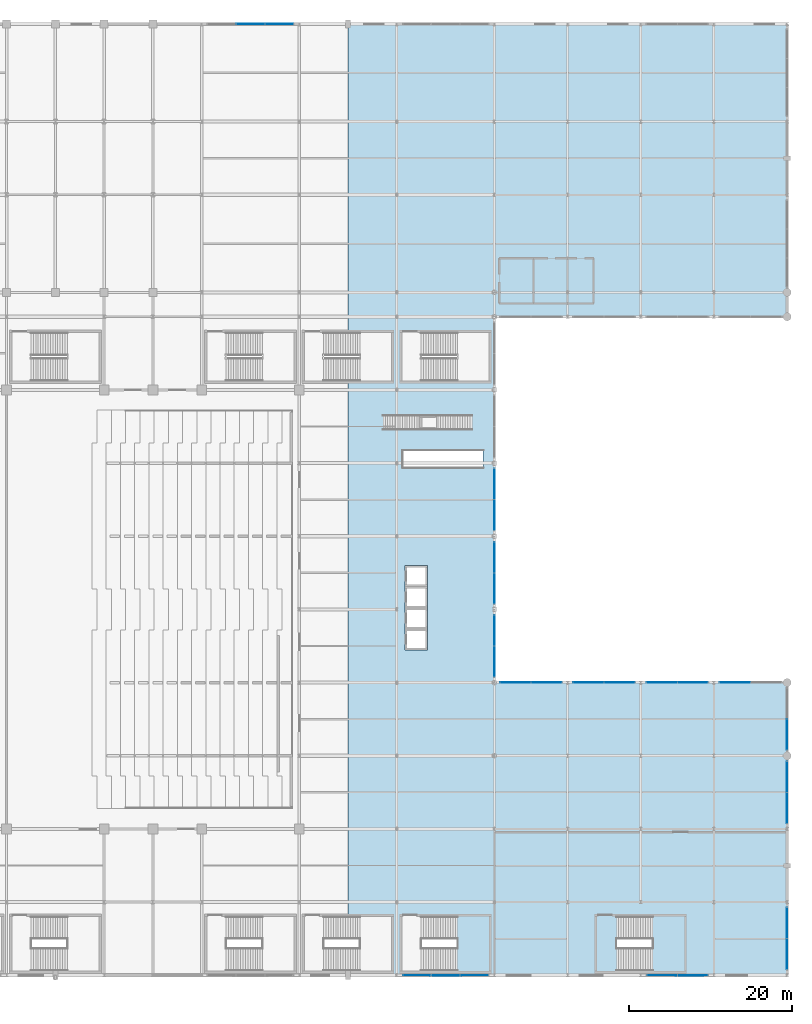
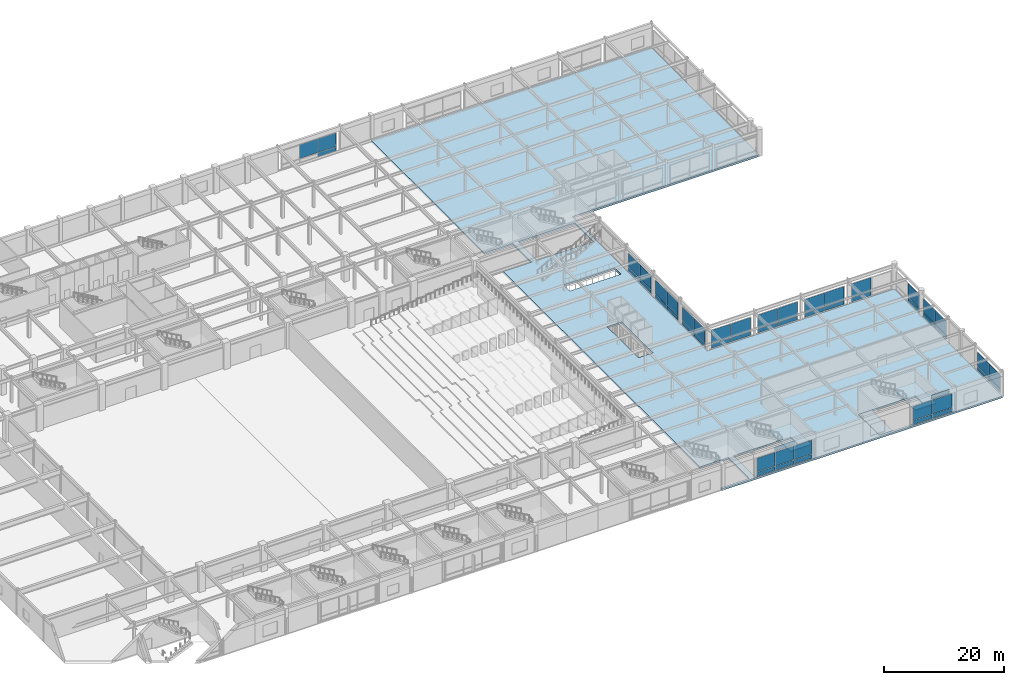
# One storey, part 77 of 100: 51 plates, 4 slabs, 15 elements without a shape of their own.
"""IFC4 building model written with IfcOpenShell, lengths in metres."""

from ifc_helpers import new_model, si_unit, direction, frame, origin, origin_2d, place, context, subcontext, project, spatial, polyline, rectangle, outline, extrude, material, layer, layer_set, type_object, element, aggregate, save


model = new_model("IFC4")

# Units and contexts
model_context = context("Model", 3, precision=1e-05, world=origin(), true_north=direction((0.0, 1.0)))
body_context = subcontext(model_context, "Body", "Model", "MODEL_VIEW")
ifc_project = project(units=[si_unit("LENGTHUNIT", "METRE"), si_unit("AREAUNIT", "SQUARE_METRE"), si_unit("VOLUMEUNIT", "CUBIC_METRE"), si_unit("PLANEANGLEUNIT", "RADIAN"), si_unit("MASSUNIT", "GRAM", prefix="KILO")], contexts=[model_context])

# Site, building, storey
site_placement = place(None, origin())
site = spatial("IfcSite", under=ifc_project, at=site_placement, CompositionType="ELEMENT")
building_placement = place(site_placement, origin())
building = spatial("IfcBuilding", under=site, at=building_placement, Name="Kaldorvane Square Convention Centre", CompositionType="ELEMENT")
storey_placement = place(building_placement, frame((0.0, 0.0, 18.0)))
storey = spatial("IfcBuildingStorey", under=building, at=storey_placement, Name="L03", CompositionType="ELEMENT", Elevation=18.0)

# Curtain wall, plates
ifc_material_1 = material(Name="Anodized Aluminum and Low-E Insulated Glazing", Category="aluminium")
curtain_wall_type_1 = type_object("IfcCurtainWallType", Name="CW-UNI-P54-12", PredefinedType="USERDEFINED", material=ifc_material_1)
curtain_wall_1_placement = place(storey_placement, origin())
curtain_wall_1 = element("IfcCurtainWall", 1, at=curtain_wall_1_placement, inside=storey, type_object=curtain_wall_type_1, Name="Curtain Wall CW-03 (L03)", ObjectType="UNITISED GLAZING", PredefinedType="USERDEFINED")
ifc_layer_1 = layer(ifc_material_1, 0.03399658203125)
ifc_layer_set_1 = layer_set([ifc_layer_1], Name="Anodized Aluminum and Low-E Insulated Glazing")
plate_type_1 = type_object("IfcPlateType", Name="CW-PNL-03", PredefinedType="CURTAIN_PANEL", material=ifc_layer_set_1)
plate_1_placement = place(storey_placement, frame((128.48541259765625, 0.0, 0.214996337890625), z_axis=(0.0, 0.0, 1.0), x_axis=(1.0, 0.0, 0.0)))
plate_1 = element("IfcPlate", 2, at=plate_1_placement, type_object=plate_type_1, Name="CW-03 panel 1.1", PredefinedType="CURTAIN_PANEL", context=body_context, shape_type="SweptSolid", body=[
    extrude(rectangle(XDim=3.42083740234375, YDim=0.03399658203125, at=origin_2d()), origin(), (0.0, 0.0, 1.0), 0.8025054931640625),
])
plate_2_placement = place(storey_placement, frame((128.48541259765625, 0.0, 1.0825042724609375), z_axis=(0.0, 0.0, 1.0), x_axis=(1.0, 0.0, 0.0)))
plate_2 = element("IfcPlate", 3, at=plate_2_placement, type_object=plate_type_1, Name="CW-03 panel 1.2", PredefinedType="CURTAIN_PANEL", context=body_context, shape_type="SweptSolid", body=[
    extrude(rectangle(XDim=3.42083740234375, YDim=0.03399658203125, at=origin_2d()), origin(), (0.0, 0.0, 1.0), 2.8125),
])
plate_3_placement = place(storey_placement, frame((132.0, 0.0, 0.214996337890625), z_axis=(0.0, 0.0, 1.0), x_axis=(1.0, 0.0, 0.0)))
plate_3 = element("IfcPlate", 4, at=plate_3_placement, type_object=plate_type_1, Name="CW-03 panel 2.1", PredefinedType="CURTAIN_PANEL", context=body_context, shape_type="SweptSolid", body=[
    extrude(rectangle(XDim=3.4583282470703125, YDim=0.03399658203125, at=origin_2d()), origin(), (0.0, 0.0, 1.0), 0.8025054931640625),
])
plate_4_placement = place(storey_placement, frame((132.0, 0.0, 1.0825042724609375), z_axis=(0.0, 0.0, 1.0), x_axis=(1.0, 0.0, 0.0)))
plate_4 = element("IfcPlate", 5, at=plate_4_placement, type_object=plate_type_1, Name="CW-03 panel 2.2", PredefinedType="CURTAIN_PANEL", context=body_context, shape_type="SweptSolid", body=[
    extrude(rectangle(XDim=3.4583282470703125, YDim=0.03399658203125, at=origin_2d()), origin(), (0.0, 0.0, 1.0), 2.8125),
])
plate_5_placement = place(storey_placement, frame((135.51458740234375, 0.0, 0.214996337890625), z_axis=(0.0, 0.0, 1.0), x_axis=(1.0, 0.0, 0.0)))
plate_5 = element("IfcPlate", 6, at=plate_5_placement, type_object=plate_type_1, Name="CW-03 panel 3.1", PredefinedType="CURTAIN_PANEL", context=body_context, shape_type="SweptSolid", body=[
    extrude(rectangle(XDim=3.42083740234375, YDim=0.03399658203125, at=origin_2d()), origin(), (0.0, 0.0, 1.0), 0.8025054931640625),
])
plate_6_placement = place(storey_placement, frame((135.51458740234375, 0.0, 1.0825042724609375), z_axis=(0.0, 0.0, 1.0), x_axis=(1.0, 0.0, 0.0)))
plate_6 = element("IfcPlate", 7, at=plate_6_placement, type_object=plate_type_1, Name="CW-03 panel 3.2", PredefinedType="CURTAIN_PANEL", context=body_context, shape_type="SweptSolid", body=[
    extrude(rectangle(XDim=3.42083740234375, YDim=0.03399658203125, at=origin_2d()), origin(), (0.0, 0.0, 1.0), 2.8125),
])
aggregate(curtain_wall_1, [plate_1, plate_2, plate_3, plate_4, plate_5, plate_6])

curtain_wall_2_placement = place(storey_placement, origin())
curtain_wall_2 = element("IfcCurtainWall", 8, at=curtain_wall_2_placement, inside=storey, type_object=curtain_wall_type_1, Name="Curtain Wall CW-03 (L03)", ObjectType="UNITISED GLAZING", PredefinedType="USERDEFINED")
plate_7_placement = place(storey_placement, frame((158.61874389648438, 0.0, 0.214996337890625), z_axis=(0.0, 0.0, 1.0), x_axis=(1.0, 0.0, 0.0)))
plate_7 = element("IfcPlate", 9, at=plate_7_placement, type_object=plate_type_1, Name="CW-03 panel 1.1", PredefinedType="CURTAIN_PANEL", context=body_context, shape_type="SweptSolid", body=[
    extrude(rectangle(XDim=3.6875, YDim=0.03399658203125, at=origin_2d()), origin(), (0.0, 0.0, 1.0), 0.8025054931640625),
])
plate_8_placement = place(storey_placement, frame((158.61874389648438, 0.0, 1.0825042724609375), z_axis=(0.0, 0.0, 1.0), x_axis=(1.0, 0.0, 0.0)))
plate_8 = element("IfcPlate", 10, at=plate_8_placement, type_object=plate_type_1, Name="CW-03 panel 1.2", PredefinedType="CURTAIN_PANEL", context=body_context, shape_type="SweptSolid", body=[
    extrude(rectangle(XDim=3.6875, YDim=0.03399658203125, at=origin_2d()), origin(), (0.0, 0.0, 1.0), 2.8125),
])
plate_9_placement = place(storey_placement, frame((162.38125610351562, 0.0, 0.214996337890625), z_axis=(0.0, 0.0, 1.0), x_axis=(1.0, 0.0, 0.0)))
plate_9 = element("IfcPlate", 11, at=plate_9_placement, type_object=plate_type_1, Name="CW-03 panel 2.1", PredefinedType="CURTAIN_PANEL", context=body_context, shape_type="SweptSolid", body=[
    extrude(rectangle(XDim=3.6875, YDim=0.03399658203125, at=origin_2d()), origin(), (0.0, 0.0, 1.0), 0.8025054931640625),
])
plate_10_placement = place(storey_placement, frame((162.38125610351562, 0.0, 1.0825042724609375), z_axis=(0.0, 0.0, 1.0), x_axis=(1.0, 0.0, 0.0)))
plate_10 = element("IfcPlate", 12, at=plate_10_placement, type_object=plate_type_1, Name="CW-03 panel 2.2", PredefinedType="CURTAIN_PANEL", context=body_context, shape_type="SweptSolid", body=[
    extrude(rectangle(XDim=3.6875, YDim=0.03399658203125, at=origin_2d()), origin(), (0.0, 0.0, 1.0), 2.8125),
])
aggregate(curtain_wall_2, [plate_7, plate_8, plate_9, plate_10])

curtain_wall_type_2 = type_object("IfcCurtainWallType", Name="CW-UNI-P54-09", PredefinedType="USERDEFINED", material=ifc_material_1)
curtain_wall_3_placement = place(storey_placement, origin())
curtain_wall_3 = element("IfcCurtainWall", 13, at=curtain_wall_3_placement, inside=storey, type_object=curtain_wall_type_2, Name="Curtain Wall CW-04 (L03)", ObjectType="UNITISED GLAZING", PredefinedType="USERDEFINED")
ifc_layer_2 = layer(ifc_material_1, 0.0319976806640625)
ifc_layer_set_2 = layer_set([ifc_layer_2], Name="Anodized Aluminum and Low-E Insulated Glazing")
plate_type_2 = type_object("IfcPlateType", Name="CW-PNL-04", PredefinedType="CURTAIN_PANEL", material=ifc_layer_set_2)
plate_11_placement = place(storey_placement, frame((111.51708984375, 117.0, 0.2100067138671875), z_axis=(0.0, 0.0, 1.0), x_axis=(-1.0, 0.0, 0.0)))
plate_11 = element("IfcPlate", 14, at=plate_11_placement, type_object=plate_type_2, Name="CW-04 panel 1.1", PredefinedType="CURTAIN_PANEL", context=body_context, shape_type="SweptSolid", body=[
    extrude(rectangle(XDim=3.4358367919921875, YDim=0.0319976806640625, at=origin_2d()), origin(), (0.0, 0.0, 1.0), 0.80999755859375),
])
plate_12_placement = place(storey_placement, frame((111.51708984375, 117.0, 1.0800018310546875), z_axis=(0.0, 0.0, 1.0), x_axis=(-1.0, 0.0, 0.0)))
plate_12 = element("IfcPlate", 15, at=plate_12_placement, type_object=plate_type_2, Name="CW-04 panel 1.2", PredefinedType="CURTAIN_PANEL", context=body_context, shape_type="SweptSolid", body=[
    extrude(rectangle(XDim=3.4358367919921875, YDim=0.0319976806640625, at=origin_2d()), origin(), (0.0, 0.0, 1.0), 2.82000732421875),
])
plate_13_placement = place(storey_placement, frame((108.0, 117.0, 1.0800018310546875), z_axis=(0.0, 0.0, 1.0), x_axis=(-1.0, 0.0, 0.0)))
plate_13 = element("IfcPlate", 16, at=plate_13_placement, type_object=plate_type_2, Name="CW-04 panel 2.2", PredefinedType="CURTAIN_PANEL", context=body_context, shape_type="SweptSolid", body=[
    extrude(rectangle(XDim=3.4683380126953125, YDim=0.0319976806640625, at=origin_2d()), origin(), (0.0, 0.0, 1.0), 2.82000732421875),
])
aggregate(curtain_wall_3, [plate_11, plate_12, plate_13])

curtain_wall_4_placement = place(storey_placement, origin())
curtain_wall_4 = element("IfcCurtainWall", 17, at=curtain_wall_4_placement, inside=storey, type_object=curtain_wall_type_2, Name="Curtain Wall CW-04 (L03)", ObjectType="UNITISED GLAZING", PredefinedType="USERDEFINED")
ifc_layer_3 = layer(ifc_material_1, 0.029998779296875)
ifc_layer_set_3 = layer_set([ifc_layer_3], Name="Anodized Aluminum and Low-E Insulated Glazing")
plate_type_3 = type_object("IfcPlateType", Name="CW-PNL-05", PredefinedType="CURTAIN_PANEL", material=ifc_layer_set_3)
plate_14_placement = place(storey_placement, frame((174.0, 2.59124755859375, 0.2100067138671875), z_axis=(0.0, 0.0, 1.0), x_axis=(0.0, 1.0, 0.0)))
plate_14 = element("IfcPlate", 18, at=plate_14_placement, type_object=plate_type_3, Name="CW-04 panel 1.1", PredefinedType="CURTAIN_PANEL", context=body_context, shape_type="SweptSolid", body=[
    extrude(rectangle(XDim=3.75250244140625, YDim=0.029998779296875, at=origin_2d()), origin(), (0.0, 0.0, 1.0), 0.80999755859375),
])
plate_15_placement = place(storey_placement, frame((174.0, 2.59124755859375, 1.0800018310546875), z_axis=(0.0, 0.0, 1.0), x_axis=(0.0, 1.0, 0.0)))
plate_15 = element("IfcPlate", 19, at=plate_15_placement, type_object=plate_type_3, Name="CW-04 panel 1.2", PredefinedType="CURTAIN_PANEL", context=body_context, shape_type="SweptSolid", body=[
    extrude(rectangle(XDim=3.75250244140625, YDim=0.029998779296875, at=origin_2d()), origin(), (0.0, 0.0, 1.0), 2.82000732421875),
])
plate_16_placement = place(storey_placement, frame((174.0, 6.40875244140625, 0.2100067138671875), z_axis=(0.0, 0.0, 1.0), x_axis=(0.0, 1.0, 0.0)))
plate_16 = element("IfcPlate", 20, at=plate_16_placement, type_object=plate_type_3, Name="CW-04 panel 2.1", PredefinedType="CURTAIN_PANEL", context=body_context, shape_type="SweptSolid", body=[
    extrude(rectangle(XDim=3.75250244140625, YDim=0.029998779296875, at=origin_2d()), origin(), (0.0, 0.0, 1.0), 0.80999755859375),
])
plate_17_placement = place(storey_placement, frame((174.0, 6.40875244140625, 1.0800018310546875), z_axis=(0.0, 0.0, 1.0), x_axis=(0.0, 1.0, 0.0)))
plate_17 = element("IfcPlate", 21, at=plate_17_placement, type_object=plate_type_3, Name="CW-04 panel 2.2", PredefinedType="CURTAIN_PANEL", context=body_context, shape_type="SweptSolid", body=[
    extrude(rectangle(XDim=3.75250244140625, YDim=0.029998779296875, at=origin_2d()), origin(), (0.0, 0.0, 1.0), 2.82000732421875),
])
aggregate(curtain_wall_4, [plate_14, plate_15, plate_16, plate_17])

curtain_wall_5_placement = place(storey_placement, origin())
curtain_wall_5 = element("IfcCurtainWall", 22, at=curtain_wall_5_placement, inside=storey, type_object=curtain_wall_type_2, Name="Curtain Wall CW-04 (L03)", ObjectType="UNITISED GLAZING", PredefinedType="USERDEFINED")
plate_18_placement = place(storey_placement, frame((174.0, 20.59124755859375, 0.2100067138671875), z_axis=(0.0, 0.0, 1.0), x_axis=(0.0, 1.0, 0.0)))
plate_18 = element("IfcPlate", 23, at=plate_18_placement, type_object=plate_type_3, Name="CW-04 panel 1.1", PredefinedType="CURTAIN_PANEL", context=body_context, shape_type="SweptSolid", body=[
    extrude(rectangle(XDim=3.75250244140625, YDim=0.029998779296875, at=origin_2d()), origin(), (0.0, 0.0, 1.0), 0.80999755859375),
])
plate_19_placement = place(storey_placement, frame((174.0, 20.59124755859375, 1.0800018310546875), z_axis=(0.0, 0.0, 1.0), x_axis=(0.0, 1.0, 0.0)))
plate_19 = element("IfcPlate", 24, at=plate_19_placement, type_object=plate_type_3, Name="CW-04 panel 1.2", PredefinedType="CURTAIN_PANEL", context=body_context, shape_type="SweptSolid", body=[
    extrude(rectangle(XDim=3.75250244140625, YDim=0.029998779296875, at=origin_2d()), origin(), (0.0, 0.0, 1.0), 2.82000732421875),
])
plate_20_placement = place(storey_placement, frame((174.0, 24.40875244140625, 0.2100067138671875), z_axis=(0.0, 0.0, 1.0), x_axis=(0.0, 1.0, 0.0)))
plate_20 = element("IfcPlate", 25, at=plate_20_placement, type_object=plate_type_3, Name="CW-04 panel 2.1", PredefinedType="CURTAIN_PANEL", context=body_context, shape_type="SweptSolid", body=[
    extrude(rectangle(XDim=3.75250244140625, YDim=0.029998779296875, at=origin_2d()), origin(), (0.0, 0.0, 1.0), 0.80999755859375),
])
plate_21_placement = place(storey_placement, frame((174.0, 24.40875244140625, 1.0800018310546875), z_axis=(0.0, 0.0, 1.0), x_axis=(0.0, 1.0, 0.0)))
plate_21 = element("IfcPlate", 26, at=plate_21_placement, type_object=plate_type_3, Name="CW-04 panel 2.2", PredefinedType="CURTAIN_PANEL", context=body_context, shape_type="SweptSolid", body=[
    extrude(rectangle(XDim=3.75250244140625, YDim=0.029998779296875, at=origin_2d()), origin(), (0.0, 0.0, 1.0), 2.82000732421875),
])
aggregate(curtain_wall_5, [plate_18, plate_19, plate_20, plate_21])

curtain_wall_6_placement = place(storey_placement, origin())
curtain_wall_6 = element("IfcCurtainWall", 27, at=curtain_wall_6_placement, inside=storey, type_object=curtain_wall_type_2, Name="Curtain Wall CW-04 (L03)", ObjectType="UNITISED GLAZING", PredefinedType="USERDEFINED")
plate_22_placement = place(storey_placement, frame((174.0, 29.59124755859375, 0.2100067138671875), z_axis=(0.0, 0.0, 1.0), x_axis=(0.0, 1.0, 0.0)))
plate_22 = element("IfcPlate", 28, at=plate_22_placement, type_object=plate_type_3, Name="CW-04 panel 1.1", PredefinedType="CURTAIN_PANEL", context=body_context, shape_type="SweptSolid", body=[
    extrude(rectangle(XDim=3.75250244140625, YDim=0.029998779296875, at=origin_2d()), origin(), (0.0, 0.0, 1.0), 0.80999755859375),
])
plate_23_placement = place(storey_placement, frame((174.0, 29.59124755859375, 1.0800018310546875), z_axis=(0.0, 0.0, 1.0), x_axis=(0.0, 1.0, 0.0)))
plate_23 = element("IfcPlate", 29, at=plate_23_placement, type_object=plate_type_3, Name="CW-04 panel 1.2", PredefinedType="CURTAIN_PANEL", context=body_context, shape_type="SweptSolid", body=[
    extrude(rectangle(XDim=3.75250244140625, YDim=0.029998779296875, at=origin_2d()), origin(), (0.0, 0.0, 1.0), 2.82000732421875),
])
aggregate(curtain_wall_6, [plate_22, plate_23])

curtain_wall_type_3 = type_object("IfcCurtainWallType", Name="CW-PTS-FC-54", PredefinedType="USERDEFINED", material=ifc_material_1)
curtain_wall_7_placement = place(storey_placement, origin())
curtain_wall_7 = element("IfcCurtainWall", 30, at=curtain_wall_7_placement, inside=storey, type_object=curtain_wall_type_3, Name="Curtain Wall CW-08 (L03)", ObjectType="POINT SUPPORTED GLAZING", PredefinedType="USERDEFINED")
ifc_layer_4 = layer(ifc_material_1, 0.0399932861328125)
ifc_layer_set_4 = layer_set([ifc_layer_4], Name="Anodized Aluminum and Low-E Insulated Glazing")
plate_type_4 = type_object("IfcPlateType", Name="CW-PNL-07", PredefinedType="CURTAIN_PANEL", material=ifc_layer_set_4)
plate_24_placement = place(storey_placement, frame((144.40625, 36.0, 0.214996337890625), z_axis=(0.0, 0.0, 1.0), x_axis=(-1.0, 0.0, 0.0)))
plate_24 = element("IfcPlate", 31, at=plate_24_placement, type_object=plate_type_4, Name="CW-08 panel 1.1", PredefinedType="CURTAIN_PANEL", context=body_context, shape_type="SweptSolid", body=[
    extrude(rectangle(XDim=3.7375030517578125, YDim=0.0399932861328125, at=origin_2d()), origin(), (0.0, 0.0, 1.0), 0.8025054931640625),
])
plate_25_placement = place(storey_placement, frame((144.40625, 36.0, 1.0825042724609375), z_axis=(0.0, 0.0, 1.0), x_axis=(-1.0, 0.0, 0.0)))
plate_25 = element("IfcPlate", 32, at=plate_25_placement, type_object=plate_type_4, Name="CW-08 panel 1.2", PredefinedType="CURTAIN_PANEL", context=body_context, shape_type="SweptSolid", body=[
    extrude(rectangle(XDim=3.7375030517578125, YDim=0.0399932861328125, at=origin_2d()), origin(), (0.0, 0.0, 1.0), 2.8125),
])
plate_26_placement = place(storey_placement, frame((140.59375, 36.0, 0.214996337890625), z_axis=(0.0, 0.0, 1.0), x_axis=(-1.0, 0.0, 0.0)))
plate_26 = element("IfcPlate", 33, at=plate_26_placement, type_object=plate_type_4, Name="CW-08 panel 2.1", PredefinedType="CURTAIN_PANEL", context=body_context, shape_type="SweptSolid", body=[
    extrude(rectangle(XDim=3.7375030517578125, YDim=0.0399932861328125, at=origin_2d()), origin(), (0.0, 0.0, 1.0), 0.8025054931640625),
])
plate_27_placement = place(storey_placement, frame((140.59375, 36.0, 1.0825042724609375), z_axis=(0.0, 0.0, 1.0), x_axis=(-1.0, 0.0, 0.0)))
plate_27 = element("IfcPlate", 34, at=plate_27_placement, type_object=plate_type_4, Name="CW-08 panel 2.2", PredefinedType="CURTAIN_PANEL", context=body_context, shape_type="SweptSolid", body=[
    extrude(rectangle(XDim=3.7375030517578125, YDim=0.0399932861328125, at=origin_2d()), origin(), (0.0, 0.0, 1.0), 2.8125),
])
aggregate(curtain_wall_7, [plate_24, plate_25, plate_26, plate_27])

curtain_wall_8_placement = place(storey_placement, origin())
curtain_wall_8 = element("IfcCurtainWall", 35, at=curtain_wall_8_placement, inside=storey, type_object=curtain_wall_type_3, Name="Curtain Wall CW-08 (L03)", ObjectType="POINT SUPPORTED GLAZING", PredefinedType="USERDEFINED")
plate_28_placement = place(storey_placement, frame((153.40625, 36.0, 0.214996337890625), z_axis=(0.0, 0.0, 1.0), x_axis=(-1.0, 0.0, 0.0)))
plate_28 = element("IfcPlate", 36, at=plate_28_placement, type_object=plate_type_4, Name="CW-08 panel 1.1", PredefinedType="CURTAIN_PANEL", context=body_context, shape_type="SweptSolid", body=[
    extrude(rectangle(XDim=3.7375030517578125, YDim=0.0399932861328125, at=origin_2d()), origin(), (0.0, 0.0, 1.0), 0.8025054931640625),
])
plate_29_placement = place(storey_placement, frame((153.40625, 36.0, 1.0825042724609375), z_axis=(0.0, 0.0, 1.0), x_axis=(-1.0, 0.0, 0.0)))
plate_29 = element("IfcPlate", 37, at=plate_29_placement, type_object=plate_type_4, Name="CW-08 panel 1.2", PredefinedType="CURTAIN_PANEL", context=body_context, shape_type="SweptSolid", body=[
    extrude(rectangle(XDim=3.7375030517578125, YDim=0.0399932861328125, at=origin_2d()), origin(), (0.0, 0.0, 1.0), 2.8125),
])
plate_30_placement = place(storey_placement, frame((149.59375, 36.0, 0.214996337890625), z_axis=(0.0, 0.0, 1.0), x_axis=(-1.0, 0.0, 0.0)))
plate_30 = element("IfcPlate", 38, at=plate_30_placement, type_object=plate_type_4, Name="CW-08 panel 2.1", PredefinedType="CURTAIN_PANEL", context=body_context, shape_type="SweptSolid", body=[
    extrude(rectangle(XDim=3.7375030517578125, YDim=0.0399932861328125, at=origin_2d()), origin(), (0.0, 0.0, 1.0), 0.8025054931640625),
])
plate_31_placement = place(storey_placement, frame((149.59375, 36.0, 1.0825042724609375), z_axis=(0.0, 0.0, 1.0), x_axis=(-1.0, 0.0, 0.0)))
plate_31 = element("IfcPlate", 39, at=plate_31_placement, type_object=plate_type_4, Name="CW-08 panel 2.2", PredefinedType="CURTAIN_PANEL", context=body_context, shape_type="SweptSolid", body=[
    extrude(rectangle(XDim=3.7375030517578125, YDim=0.0399932861328125, at=origin_2d()), origin(), (0.0, 0.0, 1.0), 2.8125),
])
aggregate(curtain_wall_8, [plate_28, plate_29, plate_30, plate_31])

curtain_wall_9_placement = place(storey_placement, origin())
curtain_wall_9 = element("IfcCurtainWall", 40, at=curtain_wall_9_placement, inside=storey, type_object=curtain_wall_type_3, Name="Curtain Wall CW-08 (L03)", ObjectType="POINT SUPPORTED GLAZING", PredefinedType="USERDEFINED")
plate_32_placement = place(storey_placement, frame((162.40625, 36.0, 0.214996337890625), z_axis=(0.0, 0.0, 1.0), x_axis=(-1.0, 0.0, 0.0)))
plate_32 = element("IfcPlate", 41, at=plate_32_placement, type_object=plate_type_4, Name="CW-08 panel 1.1", PredefinedType="CURTAIN_PANEL", context=body_context, shape_type="SweptSolid", body=[
    extrude(rectangle(XDim=3.7375030517578125, YDim=0.0399932861328125, at=origin_2d()), origin(), (0.0, 0.0, 1.0), 0.8025054931640625),
])
plate_33_placement = place(storey_placement, frame((162.40625, 36.0, 1.0825042724609375), z_axis=(0.0, 0.0, 1.0), x_axis=(-1.0, 0.0, 0.0)))
plate_33 = element("IfcPlate", 42, at=plate_33_placement, type_object=plate_type_4, Name="CW-08 panel 1.2", PredefinedType="CURTAIN_PANEL", context=body_context, shape_type="SweptSolid", body=[
    extrude(rectangle(XDim=3.7375030517578125, YDim=0.0399932861328125, at=origin_2d()), origin(), (0.0, 0.0, 1.0), 2.8125),
])
plate_34_placement = place(storey_placement, frame((158.59375, 36.0, 0.214996337890625), z_axis=(0.0, 0.0, 1.0), x_axis=(-1.0, 0.0, 0.0)))
plate_34 = element("IfcPlate", 43, at=plate_34_placement, type_object=plate_type_4, Name="CW-08 panel 2.1", PredefinedType="CURTAIN_PANEL", context=body_context, shape_type="SweptSolid", body=[
    extrude(rectangle(XDim=3.7375030517578125, YDim=0.0399932861328125, at=origin_2d()), origin(), (0.0, 0.0, 1.0), 0.8025054931640625),
])
plate_35_placement = place(storey_placement, frame((158.59375, 36.0, 1.0825042724609375), z_axis=(0.0, 0.0, 1.0), x_axis=(-1.0, 0.0, 0.0)))
plate_35 = element("IfcPlate", 44, at=plate_35_placement, type_object=plate_type_4, Name="CW-08 panel 2.2", PredefinedType="CURTAIN_PANEL", context=body_context, shape_type="SweptSolid", body=[
    extrude(rectangle(XDim=3.7375030517578125, YDim=0.0399932861328125, at=origin_2d()), origin(), (0.0, 0.0, 1.0), 2.8125),
])
aggregate(curtain_wall_9, [plate_32, plate_33, plate_34, plate_35])

curtain_wall_10_placement = place(storey_placement, origin())
curtain_wall_10 = element("IfcCurtainWall", 45, at=curtain_wall_10_placement, inside=storey, type_object=curtain_wall_type_3, Name="Curtain Wall CW-08 (L03)", ObjectType="POINT SUPPORTED GLAZING", PredefinedType="USERDEFINED")
plate_36_placement = place(storey_placement, frame((167.59375, 36.0, 0.214996337890625), z_axis=(0.0, 0.0, 1.0), x_axis=(-1.0, 0.0, 0.0)))
plate_36 = element("IfcPlate", 46, at=plate_36_placement, type_object=plate_type_4, Name="CW-08 panel 2.1", PredefinedType="CURTAIN_PANEL", context=body_context, shape_type="SweptSolid", body=[
    extrude(rectangle(XDim=3.7375030517578125, YDim=0.0399932861328125, at=origin_2d()), origin(), (0.0, 0.0, 1.0), 0.8025054931640625),
])
plate_37_placement = place(storey_placement, frame((167.59375, 36.0, 1.0825042724609375), z_axis=(0.0, 0.0, 1.0), x_axis=(-1.0, 0.0, 0.0)))
plate_37 = element("IfcPlate", 47, at=plate_37_placement, type_object=plate_type_4, Name="CW-08 panel 2.2", PredefinedType="CURTAIN_PANEL", context=body_context, shape_type="SweptSolid", body=[
    extrude(rectangle(XDim=3.7375030517578125, YDim=0.0399932861328125, at=origin_2d()), origin(), (0.0, 0.0, 1.0), 2.8125),
])
aggregate(curtain_wall_10, [plate_36, plate_37])

curtain_wall_11_placement = place(storey_placement, origin())
curtain_wall_11 = element("IfcCurtainWall", 48, at=curtain_wall_11_placement, inside=storey, type_object=curtain_wall_type_3, Name="Curtain Wall CW-08 (L03)", ObjectType="POINT SUPPORTED GLAZING", PredefinedType="USERDEFINED")
plate_38_placement = place(storey_placement, frame((138.0, 38.59375, 0.214996337890625), z_axis=(0.0, 0.0, 1.0), x_axis=(0.0, 1.0, 0.0)))
plate_38 = element("IfcPlate", 49, at=plate_38_placement, type_object=plate_type_4, Name="CW-08 panel 1.1", PredefinedType="CURTAIN_PANEL", context=body_context, shape_type="SweptSolid", body=[
    extrude(rectangle(XDim=3.7375030517578125, YDim=0.0399932861328125, at=origin_2d()), origin(), (0.0, 0.0, 1.0), 0.8025054931640625),
])
plate_39_placement = place(storey_placement, frame((138.0, 38.59375, 1.0825042724609375), z_axis=(0.0, 0.0, 1.0), x_axis=(0.0, 1.0, 0.0)))
plate_39 = element("IfcPlate", 50, at=plate_39_placement, type_object=plate_type_4, Name="CW-08 panel 1.2", PredefinedType="CURTAIN_PANEL", context=body_context, shape_type="SweptSolid", body=[
    extrude(rectangle(XDim=3.7375030517578125, YDim=0.0399932861328125, at=origin_2d()), origin(), (0.0, 0.0, 1.0), 2.8125),
])
plate_40_placement = place(storey_placement, frame((138.0, 42.40625, 0.214996337890625), z_axis=(0.0, 0.0, 1.0), x_axis=(0.0, 1.0, 0.0)))
plate_40 = element("IfcPlate", 51, at=plate_40_placement, type_object=plate_type_4, Name="CW-08 panel 2.1", PredefinedType="CURTAIN_PANEL", context=body_context, shape_type="SweptSolid", body=[
    extrude(rectangle(XDim=3.7375030517578125, YDim=0.0399932861328125, at=origin_2d()), origin(), (0.0, 0.0, 1.0), 0.8025054931640625),
])
plate_41_placement = place(storey_placement, frame((138.0, 42.40625, 1.0825042724609375), z_axis=(0.0, 0.0, 1.0), x_axis=(0.0, 1.0, 0.0)))
plate_41 = element("IfcPlate", 52, at=plate_41_placement, type_object=plate_type_4, Name="CW-08 panel 2.2", PredefinedType="CURTAIN_PANEL", context=body_context, shape_type="SweptSolid", body=[
    extrude(rectangle(XDim=3.7375030517578125, YDim=0.0399932861328125, at=origin_2d()), origin(), (0.0, 0.0, 1.0), 2.8125),
])
aggregate(curtain_wall_11, [plate_38, plate_39, plate_40, plate_41])

curtain_wall_12_placement = place(storey_placement, origin())
curtain_wall_12 = element("IfcCurtainWall", 53, at=curtain_wall_12_placement, inside=storey, type_object=curtain_wall_type_3, Name="Curtain Wall CW-08 (L03)", ObjectType="POINT SUPPORTED GLAZING", PredefinedType="USERDEFINED")
plate_42_placement = place(storey_placement, frame((138.0, 47.59375, 0.214996337890625), z_axis=(0.0, 0.0, 1.0), x_axis=(0.0, 1.0, 0.0)))
plate_42 = element("IfcPlate", 54, at=plate_42_placement, type_object=plate_type_4, Name="CW-08 panel 1.1", PredefinedType="CURTAIN_PANEL", context=body_context, shape_type="SweptSolid", body=[
    extrude(rectangle(XDim=3.7375030517578125, YDim=0.0399932861328125, at=origin_2d()), origin(), (0.0, 0.0, 1.0), 0.8025054931640625),
])
plate_43_placement = place(storey_placement, frame((138.0, 47.59375, 1.0825042724609375), z_axis=(0.0, 0.0, 1.0), x_axis=(0.0, 1.0, 0.0)))
plate_43 = element("IfcPlate", 55, at=plate_43_placement, type_object=plate_type_4, Name="CW-08 panel 1.2", PredefinedType="CURTAIN_PANEL", context=body_context, shape_type="SweptSolid", body=[
    extrude(rectangle(XDim=3.7375030517578125, YDim=0.0399932861328125, at=origin_2d()), origin(), (0.0, 0.0, 1.0), 2.8125),
])
plate_44_placement = place(storey_placement, frame((138.0, 51.40625, 0.214996337890625), z_axis=(0.0, 0.0, 1.0), x_axis=(0.0, 1.0, 0.0)))
plate_44 = element("IfcPlate", 56, at=plate_44_placement, type_object=plate_type_4, Name="CW-08 panel 2.1", PredefinedType="CURTAIN_PANEL", context=body_context, shape_type="SweptSolid", body=[
    extrude(rectangle(XDim=3.7375030517578125, YDim=0.0399932861328125, at=origin_2d()), origin(), (0.0, 0.0, 1.0), 0.8025054931640625),
])
plate_45_placement = place(storey_placement, frame((138.0, 51.40625, 1.0825042724609375), z_axis=(0.0, 0.0, 1.0), x_axis=(0.0, 1.0, 0.0)))
plate_45 = element("IfcPlate", 57, at=plate_45_placement, type_object=plate_type_4, Name="CW-08 panel 2.2", PredefinedType="CURTAIN_PANEL", context=body_context, shape_type="SweptSolid", body=[
    extrude(rectangle(XDim=3.7375030517578125, YDim=0.0399932861328125, at=origin_2d()), origin(), (0.0, 0.0, 1.0), 2.8125),
])
aggregate(curtain_wall_12, [plate_42, plate_43, plate_44, plate_45])

curtain_wall_13_placement = place(storey_placement, origin())
curtain_wall_13 = element("IfcCurtainWall", 58, at=curtain_wall_13_placement, inside=storey, type_object=curtain_wall_type_3, Name="Curtain Wall CW-08 (L03)", ObjectType="POINT SUPPORTED GLAZING", PredefinedType="USERDEFINED")
plate_46_placement = place(storey_placement, frame((138.0, 56.59375, 0.214996337890625), z_axis=(0.0, 0.0, 1.0), x_axis=(0.0, 1.0, 0.0)))
plate_46 = element("IfcPlate", 59, at=plate_46_placement, type_object=plate_type_4, Name="CW-08 panel 1.1", PredefinedType="CURTAIN_PANEL", context=body_context, shape_type="SweptSolid", body=[
    extrude(rectangle(XDim=3.7375030517578125, YDim=0.0399932861328125, at=origin_2d()), origin(), (0.0, 0.0, 1.0), 0.8025054931640625),
])
plate_47_placement = place(storey_placement, frame((138.0, 56.59375, 1.0825042724609375), z_axis=(0.0, 0.0, 1.0), x_axis=(0.0, 1.0, 0.0)))
plate_47 = element("IfcPlate", 60, at=plate_47_placement, type_object=plate_type_4, Name="CW-08 panel 1.2", PredefinedType="CURTAIN_PANEL", context=body_context, shape_type="SweptSolid", body=[
    extrude(rectangle(XDim=3.7375030517578125, YDim=0.0399932861328125, at=origin_2d()), origin(), (0.0, 0.0, 1.0), 2.8125),
])
plate_48_placement = place(storey_placement, frame((138.0, 60.40625, 0.214996337890625), z_axis=(0.0, 0.0, 1.0), x_axis=(0.0, 1.0, 0.0)))
plate_48 = element("IfcPlate", 61, at=plate_48_placement, type_object=plate_type_4, Name="CW-08 panel 2.1", PredefinedType="CURTAIN_PANEL", context=body_context, shape_type="SweptSolid", body=[
    extrude(rectangle(XDim=3.7375030517578125, YDim=0.0399932861328125, at=origin_2d()), origin(), (0.0, 0.0, 1.0), 0.8025054931640625),
])
plate_49_placement = place(storey_placement, frame((138.0, 60.40625, 1.0825042724609375), z_axis=(0.0, 0.0, 1.0), x_axis=(0.0, 1.0, 0.0)))
plate_49 = element("IfcPlate", 62, at=plate_49_placement, type_object=plate_type_4, Name="CW-08 panel 2.2", PredefinedType="CURTAIN_PANEL", context=body_context, shape_type="SweptSolid", body=[
    extrude(rectangle(XDim=3.7375030517578125, YDim=0.0399932861328125, at=origin_2d()), origin(), (0.0, 0.0, 1.0), 2.8125),
])
aggregate(curtain_wall_13, [plate_46, plate_47, plate_48, plate_49])

# Plates
ifc_material_2 = material(Name="Concrete f'c = 42 MPa (Normalweight) Precast", Category="concrete")
ifc_layer_5 = layer(ifc_material_2, 0.05999755859375)
ifc_layer_set_5 = layer_set([ifc_layer_5], Name="Concrete f'c = 42 MPa (Normalweight) Precast")
plate_type_5 = type_object("IfcPlateType", Name="PL-FASCIA-05", PredefinedType="USERDEFINED", material=ifc_layer_set_5)
plate_50_placement = place(storey_placement, frame((132.0, -0.0200042724609375, 4.20001220703125), z_axis=(0.0, 0.0, 1.0), x_axis=(1.0, 0.0, 0.0)))
element("IfcPlate", 63, at=plate_50_placement, inside=storey, type_object=plate_type_5, Name="Precast Spandrel Fascia Plate (L03)", ObjectType="CLADDING", PredefinedType="USERDEFINED", context=body_context, shape_type="SweptSolid", body=[
    extrude(rectangle(XDim=3.8000030517578125, YDim=0.05999755859375, at=origin_2d()), origin(), (0.0, 0.0, 1.0), 0.8000030517578125),
])
ifc_layer_6 = layer(ifc_material_2, 0.052001953125)
ifc_layer_set_6 = layer_set([ifc_layer_6], Name="Concrete f'c = 42 MPa (Normalweight) Precast")
plate_type_6 = type_object("IfcPlateType", Name="PL-FASCIA-06", PredefinedType="USERDEFINED", material=ifc_layer_set_6)
plate_51_placement = place(storey_placement, frame((162.0, -0.0160064697265625, 4.2100067138671875), z_axis=(0.0, 0.0, 1.0), x_axis=(1.0, 0.0, 0.0)))
element("IfcPlate", 64, at=plate_51_placement, inside=storey, type_object=plate_type_6, Name="Precast Spandrel Fascia Plate (L03)", ObjectType="CLADDING", PredefinedType="USERDEFINED", context=body_context, shape_type="SweptSolid", body=[
    extrude(rectangle(XDim=3.399993896484375, YDim=0.052001953125, at=origin_2d()), origin(), (0.0, 0.0, 1.0), 0.779998779296875),
])

# Slabs
ifc_material_3 = material(Name="Concrete f'c = 42 MPa (Normalweight)", Category="concrete")
ifc_layer_7 = layer(ifc_material_3, 0.279998779296875)
ifc_layer_set_7 = layer_set([ifc_layer_7], Name="Concrete f'c = 42 MPa (Normalweight)")
slab_type_1 = type_object("IfcSlabType", Name="SL-FLND-280", PredefinedType="FLOOR", material=ifc_layer_set_7)
slab_1_placement = place(storey_placement, frame((0.0, 0.0, -0.279998779296875)))
element("IfcSlab", 65, at=slab_1_placement, inside=storey, type_object=slab_type_1, Name="Convention Exit Stair C11 Floor Landing (L03)", PredefinedType="FLOOR", context=body_context, shape_type="SweptSolid", body=[
    extrude(outline(polyline([(150.52000427246094, 0.42999267578125), (153.07000732421875, 0.42999267578125), (153.07000732421875, 7.3800048828125), (150.52000427246094, 7.3800048828125), (150.52000427246094, 0.42999267578125)])), origin(), (0.0, 0.0, 1.0), 0.279998779296875),
])
ifc_layer_8 = layer(ifc_material_3, 0.350006103515625)
ifc_layer_set_8 = layer_set([ifc_layer_8], Name="Concrete f'c = 42 MPa (Normalweight)")
slab_type_2 = type_object("IfcSlabType", Name="SL-HALL-350", PredefinedType="FLOOR", material=ifc_layer_set_8)
slab_2_placement = place(storey_placement, frame((0.0, 0.0, -0.350006103515625)))
element("IfcSlab", 66, at=slab_2_placement, inside=storey, type_object=slab_type_2, Name="Podium Composite Floor Slab L03-3", PredefinedType="FLOOR", context=body_context, shape_type="SweptSolid", body=[
    extrude(outline(polyline([(174.0, 117.0), (174.0, 81.0), (138.0, 81.0), (138.0, 36.0), (174.0, 36.0), (174.0, 0.0), (120.0, 0.0), (120.0, 0.42999267578125), (125.47999572753906, 0.42999267578125), (125.47999572753906, 7.3800048828125), (120.0, 7.3800048828125), (120.0, 72.97999572753906), (125.47999572753906, 72.97999572753906), (125.47999572753906, 79.17999267578125), (120.0, 79.17999267578125), (120.0, 117.0), (174.0, 117.0)]), holes=[polyline([(161.47999572753906, 0.42999267578125), (161.47999572753906, 7.3800048828125), (150.52000427246094, 7.3800048828125), (150.52000427246094, 0.42999267578125), (161.47999572753906, 0.42999267578125)]), polyline([(137.47999572753906, 0.42999267578125), (137.47999572753906, 7.3800048828125), (126.52000427246094, 7.3800048828125), (126.52000427246094, 0.42999267578125), (137.47999572753906, 0.42999267578125)]), polyline([(127.0, 42.600006103515625), (127.0, 40.0), (129.8000030517578, 40.0), (129.8000030517578, 42.600006103515625), (129.8000030517578, 45.19999694824219), (129.8000030517578, 47.80000305175781), (129.8000030517578, 50.399993896484375), (127.0, 50.399993896484375), (127.0, 47.80000305175781), (127.0, 45.19999694824219), (127.0, 42.600006103515625)]), polyline([(136.60000610351562, 62.5), (136.60000610351562, 64.5), (126.80000305175781, 64.5), (126.80000305175781, 62.5), (136.60000610351562, 62.5)]), polyline([(137.47999572753906, 72.97999572753906), (137.47999572753906, 79.17999267578125), (126.52000427246094, 79.17999267578125), (126.52000427246094, 72.97999572753906), (137.47999572753906, 72.97999572753906)])]), origin(), (0.0, 0.0, 1.0), 0.350006103515625),
])

# Stair, slab
stair_type = type_object("IfcStairType", Name="ST-DL-2800-5400-D6710", PredefinedType="HALF_TURN_STAIR", material=ifc_material_3)
stair_1_placement = place(storey_placement, origin())
stair_1 = element("IfcStair", 67, at=stair_1_placement, inside=storey, type_object=stair_type, Name="Convention Exit Stair C10 (L03)", PredefinedType="HALF_TURN_STAIR")
ifc_layer_9 = layer(ifc_material_3, 0.2400054931640625)
ifc_layer_set_9 = layer_set([ifc_layer_9], Name="Concrete f'c = 42 MPa (Normalweight)")
slab_type_3 = type_object("IfcSlabType", Name="SL-LAND-240", PredefinedType="LANDING", material=ifc_layer_set_9)
slab_3_placement = place(storey_placement, frame((0.0, 0.0, 2.4600067138671875)))
slab_3 = element("IfcSlab", 68, at=slab_3_placement, type_object=slab_type_3, Name="Convention Exit Stair C10 Half Landing (L03)", PredefinedType="LANDING", context=body_context, shape_type="SweptSolid", body=[
    extrude(outline(polyline([(133.41000366210938, 0.42999267578125), (137.47999572753906, 0.42999267578125), (137.47999572753906, 7.3800048828125), (133.41000366210938, 7.3800048828125), (133.41000366210938, 0.42999267578125)])), origin(), (0.0, 0.0, 1.0), 0.239990234375),
])
aggregate(stair_1, [slab_3])

stair_2_placement = place(storey_placement, origin())
stair_2 = element("IfcStair", 69, at=stair_2_placement, inside=storey, type_object=stair_type, Name="Convention Exit Stair C11 (L03)", PredefinedType="HALF_TURN_STAIR")
slab_4_placement = place(storey_placement, frame((0.0, 0.0, 2.4600067138671875)))
slab_4 = element("IfcSlab", 70, at=slab_4_placement, type_object=slab_type_3, Name="Convention Exit Stair C11 Half Landing (L03)", PredefinedType="LANDING", context=body_context, shape_type="SweptSolid", body=[
    extrude(outline(polyline([(157.41000366210938, 0.42999267578125), (161.47999572753906, 0.42999267578125), (161.47999572753906, 7.3800048828125), (157.41000366210938, 7.3800048828125), (157.41000366210938, 0.42999267578125)])), origin(), (0.0, 0.0, 1.0), 0.239990234375),
])
aggregate(stair_2, [slab_4])

save(model, "model.ifc")
